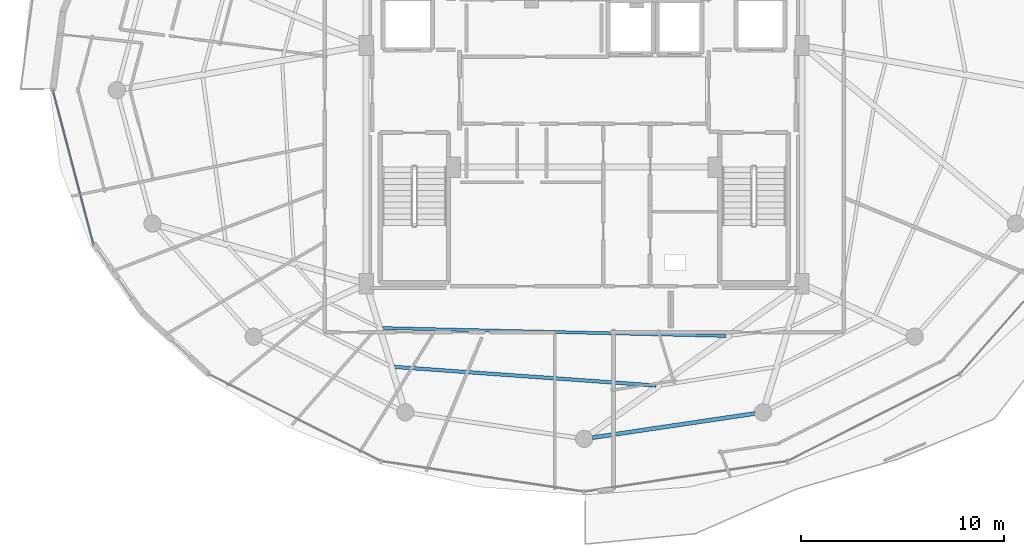
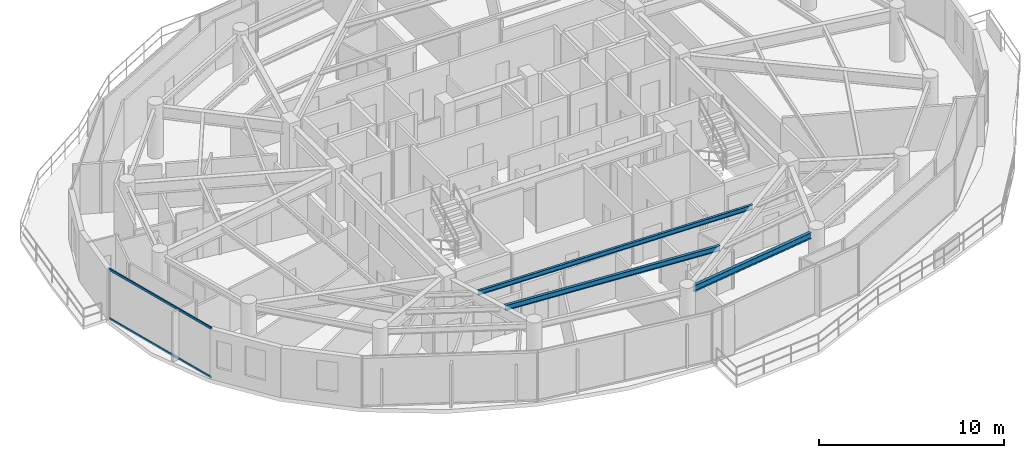
# One storey, part 5 of 30: 3 beams, 2 members, 1 element without a shape of its own.
"""IFC4 building model written with IfcOpenShell, lengths in metres."""

from ifc_helpers import new_model, si_unit, direction, frame, origin, origin_2d, place, context, subcontext, project, spatial, hollow_rectangle, i_section, extrude, material, material_profile, profile_set, type_object, element, aggregate, save


model = new_model("IFC4")

# Units and contexts
model_context = context("Model", 3, precision=1e-05, world=origin(), true_north=direction((0.0, 1.0)))
body_context = subcontext(model_context, "Body", "Model", "MODEL_VIEW")
ifc_project = project(units=[si_unit("LENGTHUNIT", "METRE"), si_unit("AREAUNIT", "SQUARE_METRE"), si_unit("VOLUMEUNIT", "CUBIC_METRE"), si_unit("PLANEANGLEUNIT", "RADIAN"), si_unit("MASSUNIT", "GRAM", prefix="KILO")], contexts=[model_context])

# Site, building, storey
site_placement = place(None, origin())
site = spatial("IfcSite", under=ifc_project, at=site_placement, CompositionType="ELEMENT")
building_placement = place(site_placement, origin())
building = spatial("IfcBuilding", under=site, at=building_placement, Name="Vorneva Point Tower", CompositionType="ELEMENT")
storey_placement = place(building_placement, frame((0.0, 0.0, 241.35009765625)))
storey = spatial("IfcBuildingStorey", under=building, at=storey_placement, Name="L65", CompositionType="ELEMENT", Elevation=241.35009765625)

# Beams
ifc_material_1 = material(Name="Steel S355", Category="steel")
ifc_material_profile_1 = material_profile(ifc_material_1, i_section(OverallWidth=0.14892578125, OverallDepth=0.298095703125, WebThickness=0.005615234375, FlangeThickness=0.008056640625, at=origin_2d()), Name="30B1")
ifc_profile_set_1 = profile_set([ifc_material_profile_1], Name="Steel S355")
beam_type_1 = type_object("IfcBeamType", Name="BM-JST-30B1", PredefinedType="JOIST", material=ifc_profile_set_1)
beam_1_placement = place(storey_placement, frame((28.05126953125, 14.266845703125, 3.140869140625), z_axis=(0.999733534919, -0.023083742277, 0.0), x_axis=(0.023083742277, 0.999733534919, 0.0)))
element("IfcBeam", 1, at=beam_1_placement, inside=storey, type_object=beam_type_1, Name="L65 Secondary Floor Beam 2.12", PredefinedType="JOIST", context=body_context, shape_type="SweptSolid", body=[
    extrude(i_section(OverallWidth=0.14892578125, OverallDepth=0.298095703125, WebThickness=0.005615234375, FlangeThickness=0.008056640625, at=origin_2d()), origin(), (0.0, 0.0, 1.0), 16.943115234375),
])
ifc_material_profile_2 = material_profile(ifc_material_1, i_section(OverallWidth=0.174072265625, OverallDepth=0.345947265625, WebThickness=0.006103515625, FlangeThickness=0.009033203125, at=origin_2d()), Name="35B1")
ifc_profile_set_2 = profile_set([ifc_material_profile_2], Name="Steel S355")
beam_type_2 = type_object("IfcBeamType", Name="BM-SEC-35B1", PredefinedType="BEAM", material=ifc_profile_set_2)
beam_2_placement = place(storey_placement, frame((28.63232421875, 12.349365234375, 3.116943359375), z_axis=(0.997472849648, -0.071048674973, 0.0), x_axis=(0.071048674973, 0.997472849648, 0.0)))
element("IfcBeam", 2, at=beam_2_placement, inside=storey, type_object=beam_type_2, Name="L65 Secondary Floor Beam 1.12", PredefinedType="BEAM", context=body_context, shape_type="SweptSolid", body=[
    extrude(i_section(OverallWidth=0.174072265625, OverallDepth=0.345947265625, WebThickness=0.006103515625, FlangeThickness=0.009033203125, at=origin_2d()), origin(), (0.0, 0.0, 1.0), 12.9443359375),
])
ifc_material_profile_3 = material_profile(ifc_material_1, i_section(OverallWidth=0.198974609375, OverallDepth=0.39599609375, WebThickness=0.007080078125, FlangeThickness=0.010986328125, at=origin_2d()), Name="40B1")
ifc_profile_set_3 = profile_set([ifc_material_profile_3], Name="Steel S355")
beam_type_3 = type_object("IfcBeamType", Name="BM-SPN-40B1", PredefinedType="SPANDREL", material=ifc_profile_set_3)
beam_3_placement = place(storey_placement, frame((38.405517578125, 8.860107421875, 3.091796875), z_axis=(0.989161657331, 0.146830567886, 0.0), x_axis=(-0.146830567886, 0.989161657331, 0.0)))
element("IfcBeam", 3, at=beam_3_placement, inside=storey, type_object=beam_type_3, Name="L65 Perimeter Spandrel Ring Beam 13", PredefinedType="SPANDREL", context=body_context, shape_type="SweptSolid", body=[
    extrude(i_section(OverallWidth=0.198974609375, OverallDepth=0.39599609375, WebThickness=0.007080078125, FlangeThickness=0.010986328125, at=origin_2d()), origin(), (0.0, 0.0, 1.0), 8.097412109375),
])

# Curtain wall, members
ifc_material_2 = material(Name="Pale anodised aluminium", Category="aluminium")
curtain_wall_type = type_object("IfcCurtainWallType", Name="CW-RES-SYS", PredefinedType="NOTDEFINED", material=ifc_material_2)
curtain_wall_placement = place(storey_placement, origin())
curtain_wall = element("IfcCurtainWall", 4, at=curtain_wall_placement, inside=storey, type_object=curtain_wall_type, Name="L65 Unitised Curtain Wall CW-L65-R03", PredefinedType="NOTDEFINED")
ifc_material_profile_4 = material_profile(ifc_material_2, hollow_rectangle(XDim=0.074951171875, YDim=0.14990234375, WallThickness=0.00390625, at=origin_2d()), Name="AL-TRN 150x75x4")
ifc_profile_set_4 = profile_set([ifc_material_profile_4], Name="Pale anodised aluminium")
member_type = type_object("IfcMemberType", Name="CW-TRN-150", PredefinedType="USERDEFINED", material=ifc_profile_set_4)
member_1_placement = place(storey_placement, frame((11.800048828125, 26.0, 0.02001953125), z_axis=(0.254418180926, -0.967094302131, 0.0), x_axis=(0.967094302131, 0.254418180926, 0.0)))
member_1 = element("IfcMember", 5, at=member_1_placement, type_object=member_type, Name="CW-L65-R03 Transom 01.1", ObjectType="TRANSOM", PredefinedType="USERDEFINED", context=body_context, shape_type="SweptSolid", body=[
    extrude(hollow_rectangle(XDim=0.074951171875, YDim=0.14990234375, WallThickness=0.00390625, at=origin_2d()), origin(), (0.0, 0.0, 1.0), 7.839111328125),
])
member_2_placement = place(storey_placement, frame((11.800048828125, 26.0, 3.27001953125), z_axis=(0.254418180926, -0.967094302131, 0.0), x_axis=(0.967094302131, 0.254418180926, 0.0)))
member_2 = element("IfcMember", 6, at=member_2_placement, type_object=member_type, Name="CW-L65-R03 Transom 01.2", ObjectType="TRANSOM", PredefinedType="USERDEFINED", context=body_context, shape_type="SweptSolid", body=[
    extrude(hollow_rectangle(XDim=0.074951171875, YDim=0.14990234375, WallThickness=0.00390625, at=origin_2d()), origin(), (0.0, 0.0, 1.0), 7.839111328125),
])
aggregate(curtain_wall, [member_1, member_2])

save(model, "model.ifc")
